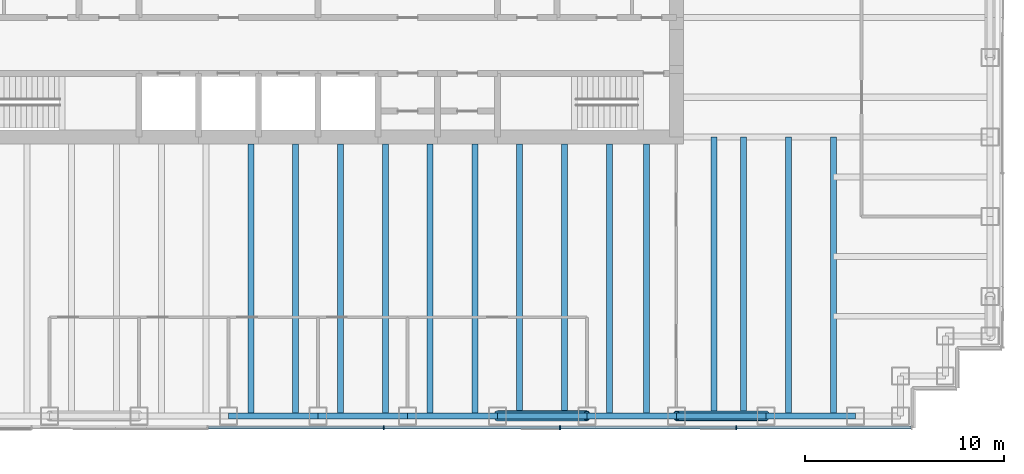
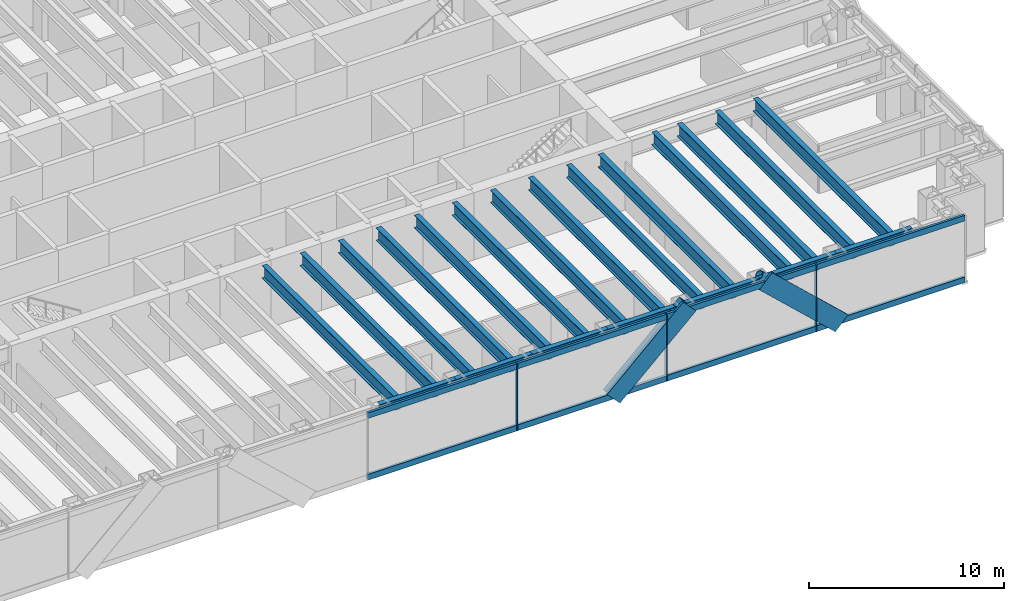
# One storey, part 4 of 15: 21 beams, 15 members, 1 element without a shape of its own.
"""IFC4 building model written with IfcOpenShell, lengths in metres."""

from ifc_helpers import new_model, si_unit, direction, frame, origin, origin_2d, place, context, subcontext, project, spatial, rectangle, hollow_circle, i_section, extrude, material, material_profile, profile_set, type_object, element, aggregate, save


model = new_model("IFC4")

# Units and contexts
model_context = context("Model", 3, precision=1e-05, world=origin(), true_north=direction((0.0, 1.0)))
body_context = subcontext(model_context, "Body", "Model", "MODEL_VIEW")
ifc_project = project(units=[si_unit("LENGTHUNIT", "METRE"), si_unit("AREAUNIT", "SQUARE_METRE"), si_unit("VOLUMEUNIT", "CUBIC_METRE"), si_unit("PLANEANGLEUNIT", "RADIAN"), si_unit("MASSUNIT", "GRAM", prefix="KILO")], contexts=[model_context])

# Site, building, storey
site_placement = place(None, origin())
site = spatial("IfcSite", under=ifc_project, at=site_placement, CompositionType="ELEMENT")
building_placement = place(site_placement, origin())
building = spatial("IfcBuilding", under=site, at=building_placement, Name="Rheinbord Bourse Tower", CompositionType="ELEMENT")
storey_placement = place(building_placement, frame((0.0, 0.0, 313.10009765625)))
storey = spatial("IfcBuildingStorey", under=building, at=storey_placement, Name="L71", CompositionType="ELEMENT", Elevation=313.10009765625)

# Curtain wall, members
ifc_material_1 = material(Name="Dark glass and black aluminium", Category="aluminium")
curtain_wall_type = type_object("IfcCurtainWallType", Name="CW3 DARK GLASS CURTAIN WALL", PredefinedType="USERDEFINED", material=ifc_material_1)
curtain_wall_placement = place(storey_placement, origin())
curtain_wall = element("IfcCurtainWall", 1, at=curtain_wall_placement, inside=storey, type_object=curtain_wall_type, Name="Curtain wall CW3 S L71", ObjectType="UNITISED CURTAIN WALL", PredefinedType="USERDEFINED")
ifc_material_2 = material(Name="Black anodised aluminium", Category="aluminium")
ifc_material_profile_1 = material_profile(ifc_material_2, rectangle(XDim=0.14990234375, YDim=1.10791015625, at=origin_2d()), Name="CW3 DIAGONAL MULLION 1108x150")
ifc_profile_set_1 = profile_set([ifc_material_profile_1], Name="Black anodised aluminium")
member_type_1 = type_object("IfcMemberType", Name="CW3 BLACK DIAGONAL MULLION", PredefinedType="USERDEFINED", material=ifc_profile_set_1)
member_1_placement = place(storey_placement, frame((58.5, 1.39990234375, 0.0), z_axis=(-0.73105922506, 0.0, 0.682314010889), x_axis=(0.0, -1.0, 0.0)))
member_1 = element("IfcMember", 2, at=member_1_placement, type_object=member_type_1, Name="CW3 diagonal mullion a", ObjectType="DIAGONAL MULLION", PredefinedType="USERDEFINED", context=body_context, shape_type="SweptSolid", body=[
    extrude(rectangle(XDim=0.14990234375, YDim=1.10791015625, at=origin_2d()), origin(), (0.0, 0.0, 1.0), 6.155517578125),
])
member_2_placement = place(storey_placement, frame((45.0, 1.39990234375, 0.0), z_axis=(0.73105922506, 0.0, 0.682314010889), x_axis=(0.0, 1.0, 0.0)))
member_2 = element("IfcMember", 3, at=member_2_placement, type_object=member_type_1, Name="CW3 diagonal mullion d", ObjectType="DIAGONAL MULLION", PredefinedType="USERDEFINED", context=body_context, shape_type="SweptSolid", body=[
    extrude(rectangle(XDim=0.14990234375, YDim=1.10791015625, at=origin_2d()), origin(), (0.0, 0.0, 1.0), 6.155517578125),
])
ifc_material_3 = material(Name="Black anodised aluminium", Category="aluminium")
ifc_material_profile_2 = material_profile(ifc_material_3, rectangle(XDim=0.199951171875, YDim=0.06494140625, at=origin_2d()), Name="CW3 MULLION 65x200")
ifc_profile_set_2 = profile_set([ifc_material_profile_2], Name="Black anodised aluminium")
member_type_2 = type_object("IfcMemberType", Name="CW3 BLACK MULLION", PredefinedType="MULLION", material=ifc_profile_set_2)
member_3_placement = place(storey_placement, frame((39.300048828125, 1.39990234375, 0.0), z_axis=(0.0, 0.0, 1.0), x_axis=(0.0, 1.0, 0.0)))
member_3 = element("IfcMember", 4, at=member_3_placement, type_object=member_type_2, Name="CW3 mullion 5", PredefinedType="MULLION", context=body_context, shape_type="SweptSolid", body=[
    extrude(rectangle(XDim=0.199951171875, YDim=0.06494140625, at=origin_2d()), origin(), (0.0, 0.0, 1.0), 4.199951171875),
])
member_4_placement = place(storey_placement, frame((48.14990234375, 1.39990234375, 0.0), z_axis=(0.0, 0.0, 1.0), x_axis=(0.0, 1.0, 0.0)))
member_4 = element("IfcMember", 5, at=member_4_placement, type_object=member_type_2, Name="CW3 mullion 6", PredefinedType="MULLION", context=body_context, shape_type="SweptSolid", body=[
    extrude(rectangle(XDim=0.199951171875, YDim=0.06494140625, at=origin_2d()), origin(), (0.0, 0.0, 1.0), 4.199951171875),
])
member_5_placement = place(storey_placement, frame((57.0, 1.39990234375, 0.0), z_axis=(0.0, 0.0, 1.0), x_axis=(0.0, 1.0, 0.0)))
member_5 = element("IfcMember", 6, at=member_5_placement, type_object=member_type_2, Name="CW3 mullion 7", PredefinedType="MULLION", context=body_context, shape_type="SweptSolid", body=[
    extrude(rectangle(XDim=0.199951171875, YDim=0.06494140625, at=origin_2d()), origin(), (0.0, 0.0, 1.0), 4.199951171875),
])
ifc_material_4 = material(Name="Black anodised aluminium", Category="aluminium")
ifc_material_profile_3 = material_profile(ifc_material_4, rectangle(XDim=0.14990234375, YDim=0.35009765625, at=origin_2d()), Name="CW3 TRANSOM 350x150")
ifc_profile_set_3 = profile_set([ifc_material_profile_3], Name="Black anodised aluminium")
member_type_3 = type_object("IfcMemberType", Name="CW3 BLACK TRANSOM", PredefinedType="USERDEFINED", material=ifc_profile_set_3)
member_6_placement = place(storey_placement, frame((30.482421875, 1.39990234375, 0.1748046875), z_axis=(1.0, 0.0, 0.0), x_axis=(0.0, 1.0, 0.0)))
member_6 = element("IfcMember", 7, at=member_6_placement, type_object=member_type_3, Name="CW3 transom 4.1", ObjectType="TRANSOM", PredefinedType="USERDEFINED", context=body_context, shape_type="SweptSolid", body=[
    extrude(rectangle(XDim=0.14990234375, YDim=0.35009765625, at=origin_2d()), origin(), (0.0, 0.0, 1.0), 8.78515625),
])
member_7_placement = place(storey_placement, frame((30.482421875, 1.39990234375, 4.02490234375), z_axis=(1.0, 0.0, 0.0), x_axis=(0.0, 1.0, 0.0)))
member_7 = element("IfcMember", 8, at=member_7_placement, type_object=member_type_3, Name="CW3 transom 4.2", ObjectType="TRANSOM", PredefinedType="USERDEFINED", context=body_context, shape_type="SweptSolid", body=[
    extrude(rectangle(XDim=0.14990234375, YDim=0.35009765625, at=origin_2d()), origin(), (0.0, 0.0, 1.0), 8.78515625),
])
member_8_placement = place(storey_placement, frame((39.33251953125, 1.39990234375, 0.1748046875), z_axis=(1.0, 0.0, 0.0), x_axis=(0.0, 1.0, 0.0)))
member_8 = element("IfcMember", 9, at=member_8_placement, type_object=member_type_3, Name="CW3 transom 5.1", ObjectType="TRANSOM", PredefinedType="USERDEFINED", context=body_context, shape_type="SweptSolid", body=[
    extrude(rectangle(XDim=0.14990234375, YDim=0.35009765625, at=origin_2d()), origin(), (0.0, 0.0, 1.0), 8.784912109375),
])
member_9_placement = place(storey_placement, frame((39.33251953125, 1.39990234375, 4.02490234375), z_axis=(1.0, 0.0, 0.0), x_axis=(0.0, 1.0, 0.0)))
member_9 = element("IfcMember", 10, at=member_9_placement, type_object=member_type_3, Name="CW3 transom 5.2", ObjectType="TRANSOM", PredefinedType="USERDEFINED", context=body_context, shape_type="SweptSolid", body=[
    extrude(rectangle(XDim=0.14990234375, YDim=0.35009765625, at=origin_2d()), origin(), (0.0, 0.0, 1.0), 8.784912109375),
])
member_10_placement = place(storey_placement, frame((48.1826171875, 1.39990234375, 0.1748046875), z_axis=(1.0, 0.0, 0.0), x_axis=(0.0, 1.0, 0.0)))
member_10 = element("IfcMember", 11, at=member_10_placement, type_object=member_type_3, Name="CW3 transom 6.1", ObjectType="TRANSOM", PredefinedType="USERDEFINED", context=body_context, shape_type="SweptSolid", body=[
    extrude(rectangle(XDim=0.14990234375, YDim=0.35009765625, at=origin_2d()), origin(), (0.0, 0.0, 1.0), 8.784912109375),
])
member_11_placement = place(storey_placement, frame((48.1826171875, 1.39990234375, 4.02490234375), z_axis=(1.0, 0.0, 0.0), x_axis=(0.0, 1.0, 0.0)))
member_11 = element("IfcMember", 12, at=member_11_placement, type_object=member_type_3, Name="CW3 transom 6.2", ObjectType="TRANSOM", PredefinedType="USERDEFINED", context=body_context, shape_type="SweptSolid", body=[
    extrude(rectangle(XDim=0.14990234375, YDim=0.35009765625, at=origin_2d()), origin(), (0.0, 0.0, 1.0), 8.784912109375),
])
member_12_placement = place(storey_placement, frame((57.032470703125, 1.39990234375, 0.1748046875), z_axis=(1.0, 0.0, 0.0), x_axis=(0.0, 1.0, 0.0)))
member_12 = element("IfcMember", 13, at=member_12_placement, type_object=member_type_3, Name="CW3 transom 7.1", ObjectType="TRANSOM", PredefinedType="USERDEFINED", context=body_context, shape_type="SweptSolid", body=[
    extrude(rectangle(XDim=0.14990234375, YDim=0.35009765625, at=origin_2d()), origin(), (0.0, 0.0, 1.0), 8.75244140625),
])
member_13_placement = place(storey_placement, frame((57.032470703125, 1.39990234375, 4.02490234375), z_axis=(1.0, 0.0, 0.0), x_axis=(0.0, 1.0, 0.0)))
member_13 = element("IfcMember", 14, at=member_13_placement, type_object=member_type_3, Name="CW3 transom 7.2", ObjectType="TRANSOM", PredefinedType="USERDEFINED", context=body_context, shape_type="SweptSolid", body=[
    extrude(rectangle(XDim=0.14990234375, YDim=0.35009765625, at=origin_2d()), origin(), (0.0, 0.0, 1.0), 8.75244140625),
])
aggregate(curtain_wall, [member_3, member_4, member_5, member_6, member_7, member_8, member_9, member_10, member_11, member_12, member_13, member_1, member_2])

# Beams
ifc_material_5 = material(Name="Steel S460", Category="steel")
ifc_material_profile_4 = material_profile(ifc_material_5, i_section(OverallWidth=0.300048828125, OverallDepth=0.800048828125, WebThickness=0.017578125, FlangeThickness=0.032958984375, at=origin_2d()), Name="HEB 800")
ifc_profile_set_4 = profile_set([ifc_material_profile_4], Name="Steel S460")
beam_type_1 = type_object("IfcBeamType", Name="FLOOR BEAM HEB 800", PredefinedType="BEAM", material=ifc_profile_set_4)
for number, where, z_axis, x_axis, name in (
    (15, (32.625, 2.0, 3.639892578125), (0.0, 1.0, 0.0), (-1.0, 0.0, 0.0), "Floor beam S-31.5a L72"),
    (16, (34.875, 2.0, 3.639892578125), (0.0, 1.0, 0.0), (-1.0, 0.0, 0.0), "Floor beam S-31.5b L72"),
    (17, (37.125, 2.0, 3.639892578125), (0.0, 1.0, 0.0), (-1.0, 0.0, 0.0), "Floor beam S-36a L72"),
    (18, (39.375, 2.0, 3.639892578125), (0.0, 1.0, 0.0), (-1.0, 0.0, 0.0), "Floor beam S-36b L72"),
    (19, (41.625, 2.0, 3.639892578125), (0.0, 1.0, 0.0), (-1.0, 0.0, 0.0), "Floor beam S-40.5a L72"),
    (20, (43.875, 2.0, 3.639892578125), (0.0, 1.0, 0.0), (-1.0, 0.0, 0.0), "Floor beam S-40.5b L72"),
    (21, (46.125, 2.0, 3.639892578125), (0.0, 1.0, 0.0), (-1.0, 0.0, 0.0), "Floor beam S-45a L72"),
    (22, (48.375, 2.0, 3.639892578125), (0.0, 1.0, 0.0), (-1.0, 0.0, 0.0), "Floor beam S-45b L72"),
    (23, (50.625, 2.0, 3.639892578125), (0.0, 1.0, 0.0), (-1.0, 0.0, 0.0), "Floor beam S-49.5a L72"),
    (24, (52.5, 2.0, 3.639892578125), (0.0, 1.0, 0.0), (-1.0, 0.0, 0.0), "Floor beam S-49.5b L72"),
):
    element("IfcBeam", number, at=place(storey_placement, frame(where, z_axis=z_axis, x_axis=x_axis)), inside=storey, type_object=beam_type_1, Name=name, PredefinedType="BEAM", context=body_context, shape_type="SweptSolid", body=[
        extrude(i_section(OverallWidth=0.300048828125, OverallDepth=0.800048828125, WebThickness=0.017578125, FlangeThickness=0.032958984375, at=origin_2d()), origin(), (0.0, 0.0, 1.0), 13.64990234375),
    ])
for number, where, z_axis, x_axis, name in (
    (25, (55.875, 2.0, 3.639892578125), (0.0, 1.0, 0.0), (-1.0, 0.0, 0.0), "Floor beam S-54a L72"),
    (26, (57.375, 2.0, 3.639892578125), (0.0, 1.0, 0.0), (-1.0, 0.0, 0.0), "Floor beam S-54b L72"),
    (27, (59.625, 2.0, 3.639892578125), (0.0, 1.0, 0.0), (-1.0, 0.0, 0.0), "Floor beam S-58.5a L72"),
    (28, (61.875, 2.0, 3.639892578125), (0.0, 1.0, 0.0), (-1.0, 0.0, 0.0), "Floor beam S-58.5b L72"),
):
    element("IfcBeam", number, at=place(storey_placement, frame(where, z_axis=z_axis, x_axis=x_axis)), inside=storey, type_object=beam_type_1, Name=name, PredefinedType="BEAM", context=body_context, shape_type="SweptSolid", body=[
        extrude(i_section(OverallWidth=0.300048828125, OverallDepth=0.800048828125, WebThickness=0.017578125, FlangeThickness=0.032958984375, at=origin_2d()), origin(), (0.0, 0.0, 1.0), 14.0),
    ])

# Members
ifc_material_6 = material(Name="Steel S460", Category="steel")
ifc_material_profile_5 = material_profile(ifc_material_6, hollow_circle(Radius=0.25390625, WallThickness=0.030029296875, at=origin_2d()), Name="CHS 508x30")
ifc_profile_set_5 = profile_set([ifc_material_profile_5], Name="Steel S460")
member_type_4 = type_object("IfcMemberType", Name="MEGABRACE CHS 508x30", PredefinedType="BRACE", material=ifc_profile_set_5)
for number, where, z_axis, x_axis, name in (
    (29, (58.5, 2.0, 0.0), (-0.73105922506, 0.0, 0.682314010889), (0.0, -1.0, 0.0), "Megabrace S face line a L71"),
    (30, (45.0, 2.0, 0.0), (0.73105922506, 0.0, 0.682314010889), (0.0, 1.0, 0.0), "Megabrace S face line d L71"),
):
    element("IfcMember", number, at=place(storey_placement, frame(where, z_axis=z_axis, x_axis=x_axis)), inside=storey, type_object=member_type_4, Name=name, PredefinedType="BRACE", context=body_context, shape_type="SweptSolid", body=[
        extrude(hollow_circle(Radius=0.25390625, WallThickness=0.030029296875, at=origin_2d()), origin(), (0.0, 0.0, 1.0), 6.155517578125),
    ])

# Beams
ifc_material_7 = material(Name="Steel S460", Category="steel")
ifc_material_profile_6 = material_profile(ifc_material_7, i_section(OverallWidth=0.300048828125, OverallDepth=0.550048828125, WebThickness=0.014892578125, FlangeThickness=0.029052734375, at=origin_2d()), Name="HEB 550")
ifc_profile_set_6 = profile_set([ifc_material_profile_6], Name="Steel S460")
beam_type_2 = type_object("IfcBeamType", Name="SPANDREL HEB 550", PredefinedType="SPANDREL", material=ifc_profile_set_6)
for number, where, z_axis, x_axis, name in (
    (31, (31.5, 2.0, 3.764892578125), (1.0, 0.0, 0.0), (0.0, 1.0, 0.0), "Spandrel S-31.5-S-36 under L72"),
    (32, (36.0, 2.0, 3.764892578125), (1.0, 0.0, 0.0), (0.0, 1.0, 0.0), "Spandrel S-36-S-40.5 under L72"),
    (33, (40.5, 2.0, 3.764892578125), (1.0, 0.0, 0.0), (0.0, 1.0, 0.0), "Spandrel S-40.5-S-45 under L72"),
    (34, (45.0, 2.0, 3.764892578125), (1.0, 0.0, 0.0), (0.0, 1.0, 0.0), "Spandrel S-45-S-49.5 under L72"),
    (35, (49.5, 2.0, 3.764892578125), (1.0, 0.0, 0.0), (0.0, 1.0, 0.0), "Spandrel S-49.5-S-54 under L72"),
    (36, (54.0, 2.0, 3.764892578125), (1.0, 0.0, 0.0), (0.0, 1.0, 0.0), "Spandrel S-54-S-58.5 under L72"),
    (37, (58.5, 2.0, 3.764892578125), (1.0, 0.0, 0.0), (0.0, 1.0, 0.0), "Spandrel S-58.5-S-63 under L72"),
):
    element("IfcBeam", number, at=place(storey_placement, frame(where, z_axis=z_axis, x_axis=x_axis)), inside=storey, type_object=beam_type_2, Name=name, PredefinedType="SPANDREL", context=body_context, shape_type="SweptSolid", body=[
        extrude(i_section(OverallWidth=0.300048828125, OverallDepth=0.550048828125, WebThickness=0.014892578125, FlangeThickness=0.029052734375, at=origin_2d()), origin(), (0.0, 0.0, 1.0), 4.5),
    ])

save(model, "model.ifc")
